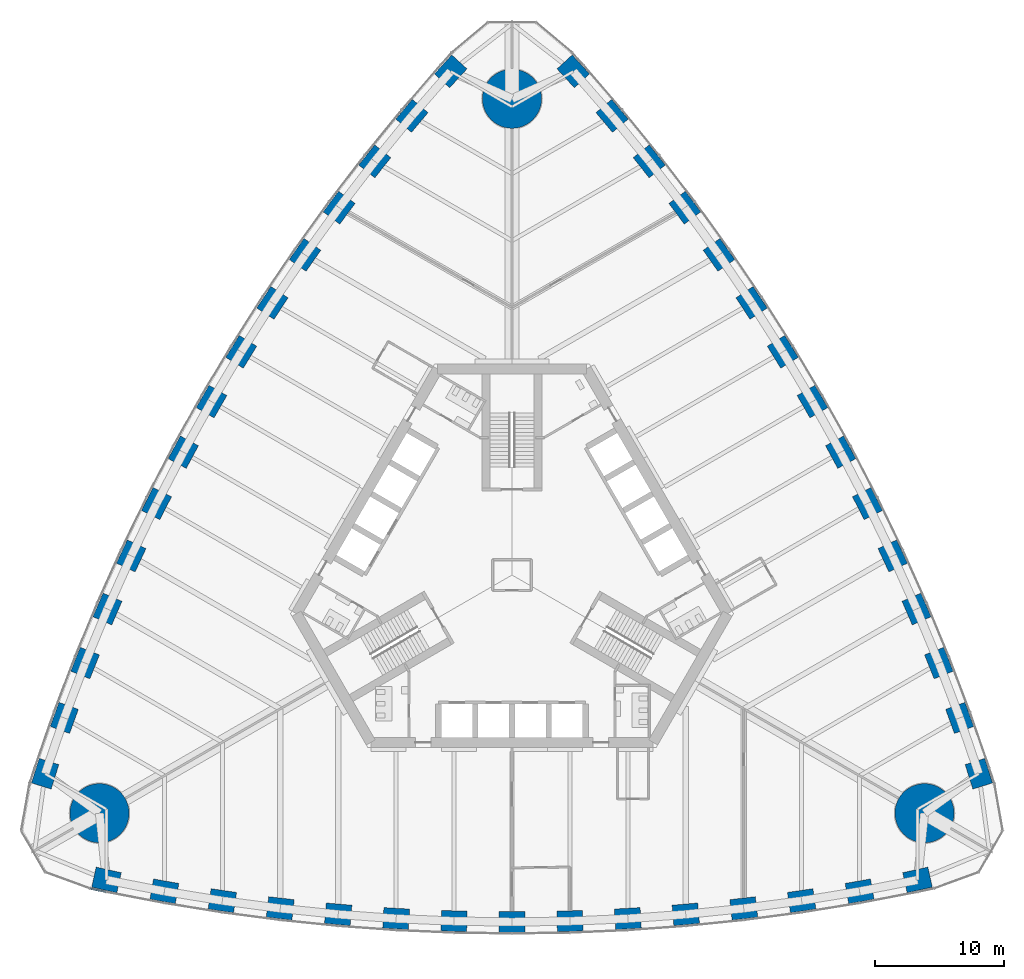
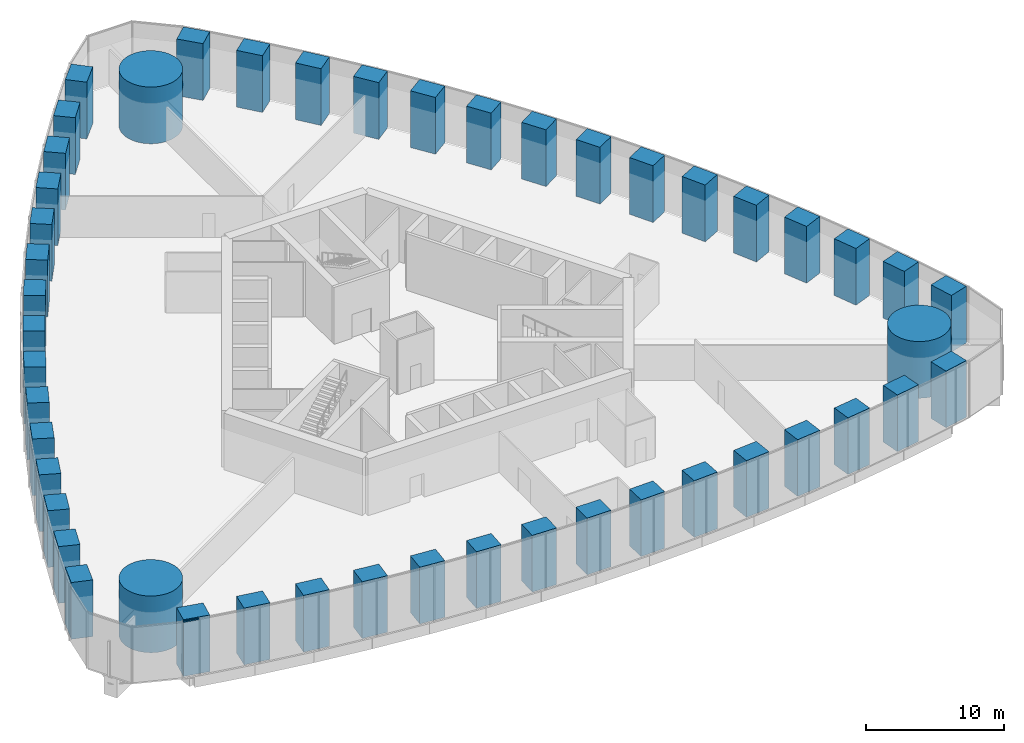
# One storey, part 1 of 21: 48 columns, 1 member, 1 element without a shape of its own.
"""IFC4 building model written with IfcOpenShell, lengths in metres."""

from ifc_helpers import new_model, si_unit, direction, frame, origin, origin_2d, place, context, subcontext, project, spatial, rectangle, circle, extrude, material, material_profile, profile_set, type_object, element, aggregate, save


model = new_model("IFC4")

# Units and contexts
model_context = context("Model", 3, precision=1e-05, world=origin(), true_north=direction((0.0, 1.0)))
body_context = subcontext(model_context, "Body", "Model", "MODEL_VIEW")
ifc_project = project(units=[si_unit("LENGTHUNIT", "METRE"), si_unit("AREAUNIT", "SQUARE_METRE"), si_unit("VOLUMEUNIT", "CUBIC_METRE"), si_unit("PLANEANGLEUNIT", "RADIAN"), si_unit("MASSUNIT", "GRAM", prefix="KILO")], contexts=[model_context])

# Site, building, storey
site_placement = place(None, origin())
site = spatial("IfcSite", under=ifc_project, at=site_placement, CompositionType="ELEMENT")
building_placement = place(site_placement, origin())
building = spatial("IfcBuilding", under=site, at=building_placement, Name="Trefoil Bronze Tower", CompositionType="ELEMENT")
storey_placement = place(building_placement, frame((0.0, 0.0, 6.5)))
storey = spatial("IfcBuildingStorey", under=building, at=storey_placement, Name="L01", CompositionType="ELEMENT", Elevation=6.5)

# Columns
ifc_material_1 = material(Name="Concrete B80", Category="concrete")
ifc_material_profile_1 = material_profile(ifc_material_1, circle(Radius=2.300048828125, at=origin_2d()), Name="RC D4600")
ifc_profile_set_1 = profile_set([ifc_material_profile_1], Name="Concrete B80")
column_type_1 = type_object("IfcColumnType", Name="Mega column RC D4600", PredefinedType="COLUMN", material=ifc_profile_set_1)
for number, where, z_axis, x_axis, name in (
    (1, (32.04296875, -18.5, 0.0), (0.0, 0.0, 1.0), (1.0, 0.0, 0.0), "Mega column K1 L01"),
    (2, (0.0, 37.0, 0.0), (0.0, 0.0, 1.0), (1.0, 0.0, 0.0), "Mega column K2 L01"),
    (3, (-32.04296875, -18.5, 0.0), (0.0, 0.0, 1.0), (1.0, 0.0, 0.0), "Mega column K3 L01"),
):
    element("IfcColumn", number, at=place(storey_placement, frame(where, z_axis=z_axis, x_axis=x_axis)), inside=storey, type_object=column_type_1, Name=name, PredefinedType="COLUMN", context=body_context, shape_type="SweptSolid", body=[
        extrude(circle(Radius=2.300048828125, at=origin_2d()), origin(), (0.0, 0.0, 1.0), 5.0),
    ])
ifc_material_2 = material(Name="Concrete B80", Category="concrete")
ifc_material_profile_2 = material_profile(ifc_material_2, rectangle(XDim=2.0, YDim=1.60009765625, at=origin_2d()), Name="RC 2000x1600")
ifc_profile_set_2 = profile_set([ifc_material_profile_2], Name="Concrete B80")
column_type_2 = type_object("IfcColumnType", Name="Tube column RC 2000x1600", PredefinedType="COLUMN", material=ifc_profile_set_2)
for number, where, z_axis, x_axis, name in (
    (4, (-31.5, -23.684814453125, 0.0), (0.0, 0.0, 1.0), (0.976229647342, -0.216738726697, 0.0), "Tube column F1/-7 L01"),
    (5, (-27.0, -24.56787109375, 0.0), (0.0, 0.0, 1.0), (0.984722470468, -0.174131146426, 0.0), "Tube column F1/-6 L01"),
    (6, (-22.5, -25.29931640625, 0.0), (0.0, 0.0, 1.0), (0.989415676546, -0.145108990094, 0.0), "Tube column F1/-5 L01"),
    (7, (-18.0, -25.895263671875, 0.0), (0.0, 0.0, 1.0), (0.993239048989, -0.116086999973, 0.0), "Tube column F1/-4 L01"),
    (8, (-13.5, -26.35693359375, 0.0), (0.0, 0.0, 1.0), (0.996202620701, -0.087065139456, 0.0), "Tube column F1/-3 L01"),
    (9, (-9.0, -26.68603515625, 0.0), (0.0, 0.0, 1.0), (0.998314062162, -0.058043374207, 0.0), "Tube column F1/-2 L01"),
    (10, (-4.5, -26.883056640625, 0.0), (0.0, 0.0, 1.0), (0.999578782577, -0.029021671584, 0.0), "Tube column F1/-1 L01"),
    (11, (0.0, -26.94873046875, 0.0), (0.0, 0.0, 1.0), (1.0, 0.0, 0.0), "Tube column F1/+0 L01"),
    (12, (4.5, -26.883056640625, 0.0), (0.0, 0.0, 1.0), (0.999578782577, 0.029021671584, 0.0), "Tube column F1/+1 L01"),
    (13, (9.0, -26.68603515625, 0.0), (0.0, 0.0, 1.0), (0.998314062162, 0.058043374207, 0.0), "Tube column F1/+2 L01"),
    (14, (13.5, -26.35693359375, 0.0), (0.0, 0.0, 1.0), (0.996202620701, 0.087065139456, 0.0), "Tube column F1/+3 L01"),
    (15, (18.0, -25.895263671875, 0.0), (0.0, 0.0, 1.0), (0.993239048989, 0.116086999973, 0.0), "Tube column F1/+4 L01"),
    (16, (22.5, -25.29931640625, 0.0), (0.0, 0.0, 1.0), (0.989415676546, 0.145108990094, 0.0), "Tube column F1/+5 L01"),
    (17, (27.0, -24.56787109375, 0.0), (0.0, 0.0, 1.0), (0.984722470468, 0.174131146426, 0.0), "Tube column F1/+6 L01"),
    (18, (31.5, -23.684814453125, 0.0), (0.0, 0.0, 1.0), (0.976229647342, 0.216738726697, 0.0), "Tube column F1/+7 L01"),
    (19, (36.26171875, -15.4375, 0.0), (0.0, 0.0, 1.0), (-0.300413580368, 0.953809037874, 0.0), "Tube column F2/-7 L01"),
    (20, (34.7763671875, -11.0986328125, 0.0), (0.0, 0.0, 1.0), (-0.341559238839, 0.939860248316, 0.0), "Tube column F2/-6 L01"),
    (21, (33.159912109375, -6.8359375, 0.0), (0.0, 0.0, 1.0), (-0.369039766534, 0.929413605838, 0.0), "Tube column F2/-5 L01"),
    (22, (31.42578125, -2.640869140625, 0.0), (0.0, 0.0, 1.0), (-0.396085233469, 0.918213748442, 0.0), "Tube column F2/-4 L01"),
    (23, (29.575927734375, 1.487060546875, 0.0), (0.0, 0.0, 1.0), (-0.422700687798, 0.906269346572, 0.0), "Tube column F2/-3 L01"),
    (24, (27.61083984375, 5.548828125, 0.0), (0.0, 0.0, 1.0), (-0.448889994497, 0.893587025891, 0.0), "Tube column F2/-2 L01"),
    (25, (25.531494140625, 9.54443359375, 0.0), (0.0, 0.0, 1.0), (-0.474655886437, 0.880171454588, 0.0), "Tube column F2/-1 L01"),
    (26, (23.33837890625, 13.474365234375, 0.0), (0.0, 0.0, 1.0), (-0.5, 0.866025403784, 0.0), "Tube column F2/+0 L01"),
    (27, (21.031494140625, 17.338623046875, 0.0), (0.0, 0.0, 1.0), (-0.524922896141, 0.851149783004, 0.0), "Tube column F2/+1 L01"),
    (28, (18.61083984375, 21.13720703125, 0.0), (0.0, 0.0, 1.0), (-0.549424067665, 0.835543651684, 0.0), "Tube column F2/+2 L01"),
    (29, (16.075927734375, 24.869873046875, 0.0), (0.0, 0.0, 1.0), (-0.573501932903, 0.819204207116, 0.0), "Tube column F2/+3 L01"),
    (30, (13.42578125, 28.5361328125, 0.0), (0.0, 0.0, 1.0), (-0.59715381552, 0.802126748469, 0.0), "Tube column F2/+4 L01"),
    (31, (10.659912109375, 32.13525390625, 0.0), (0.0, 0.0, 1.0), (-0.620375910011, 0.784304615744, 0.0), "Tube column F2/+5 L01"),
    (32, (7.7763671875, 35.666748046875, 0.0), (0.0, 0.0, 1.0), (-0.643163231629, 0.765729101889, 0.0), "Tube column F2/+6 L01"),
    (33, (4.76171875, 39.122314453125, 0.0), (0.0, 0.0, 1.0), (-0.675816066975, 0.737070311177, 0.0), "Tube column F2/+7 L01"),
    (34, (-4.76171875, 39.122314453125, 0.0), (0.0, 0.0, 1.0), (-0.675816066975, -0.737070311177, 0.0), "Tube column F3/-7 L01"),
    (35, (-7.7763671875, 35.666748046875, 0.0), (0.0, 0.0, 1.0), (-0.643163231629, -0.765729101889, 0.0), "Tube column F3/-6 L01"),
    (36, (-10.659912109375, 32.13525390625, 0.0), (0.0, 0.0, 1.0), (-0.620375910011, -0.784304615744, 0.0), "Tube column F3/-5 L01"),
    (37, (-13.42578125, 28.5361328125, 0.0), (0.0, 0.0, 1.0), (-0.59715381552, -0.802126748469, 0.0), "Tube column F3/-4 L01"),
    (38, (-16.075927734375, 24.869873046875, 0.0), (0.0, 0.0, 1.0), (-0.573501932903, -0.819204207116, 0.0), "Tube column F3/-3 L01"),
    (39, (-18.61083984375, 21.13720703125, 0.0), (0.0, 0.0, 1.0), (-0.549424067665, -0.835543651684, 0.0), "Tube column F3/-2 L01"),
    (40, (-21.031494140625, 17.338623046875, 0.0), (0.0, 0.0, 1.0), (-0.524922896141, -0.851149783004, 0.0), "Tube column F3/-1 L01"),
    (41, (-23.33837890625, 13.474365234375, 0.0), (0.0, 0.0, 1.0), (-0.5, -0.866025403784, 0.0), "Tube column F3/+0 L01"),
    (42, (-25.531494140625, 9.54443359375, 0.0), (0.0, 0.0, 1.0), (-0.474655886437, -0.880171454588, 0.0), "Tube column F3/+1 L01"),
    (43, (-27.61083984375, 5.548828125, 0.0), (0.0, 0.0, 1.0), (-0.448889994497, -0.893587025891, 0.0), "Tube column F3/+2 L01"),
    (44, (-29.575927734375, 1.487060546875, 0.0), (0.0, 0.0, 1.0), (-0.422700687798, -0.906269346572, 0.0), "Tube column F3/+3 L01"),
    (45, (-31.42578125, -2.640869140625, 0.0), (0.0, 0.0, 1.0), (-0.396085233469, -0.918213748442, 0.0), "Tube column F3/+4 L01"),
    (46, (-33.159912109375, -6.8359375, 0.0), (0.0, 0.0, 1.0), (-0.369039766534, -0.929413605838, 0.0), "Tube column F3/+5 L01"),
    (47, (-34.7763671875, -11.0986328125, 0.0), (0.0, 0.0, 1.0), (-0.341559238839, -0.939860248316, 0.0), "Tube column F3/+6 L01"),
    (48, (-36.26171875, -15.4375, 0.0), (0.0, 0.0, 1.0), (-0.300413580368, -0.953809037874, 0.0), "Tube column F3/+7 L01"),
):
    element("IfcColumn", number, at=place(storey_placement, frame(where, z_axis=z_axis, x_axis=x_axis)), inside=storey, type_object=column_type_2, Name=name, PredefinedType="COLUMN", context=body_context, shape_type="SweptSolid", body=[
        extrude(rectangle(XDim=2.0, YDim=1.60009765625, at=origin_2d()), origin(), (0.0, 0.0, 1.0), 5.0),
    ])

# Curtain wall, member
ifc_material_3 = material(Name="Tinted solar-control glass", Category="glass")
curtain_wall_type = type_object("IfcCurtainWallType", Name="Bronze podium storefront curtain wall", PredefinedType="USERDEFINED", material=ifc_material_3)
curtain_wall_placement = place(storey_placement, origin())
curtain_wall = element("IfcCurtainWall", 49, at=curtain_wall_placement, inside=storey, type_object=curtain_wall_type, Name="CW-C L01 F1", ObjectType="CURTAIN WALL", PredefinedType="USERDEFINED")
ifc_material_4 = material(Name="Bronze-finish aluminium", Category="aluminium")
ifc_material_profile_3 = material_profile(ifc_material_4, rectangle(XDim=0.1201171875, YDim=0.10009765625, at=origin_2d()), Name="CW-C transom")
ifc_profile_set_3 = profile_set([ifc_material_profile_3], Name="Bronze-finish aluminium")
member_type = type_object("IfcMemberType", Name="Bronze podium storefront curtain wall transom", PredefinedType="USERDEFINED", material=ifc_profile_set_3)
member_placement = place(storey_placement, frame((-32.753662109375, -24.352783203125, 4.929931640625), z_axis=(0.978304864549, -0.207170441905, 0.0), x_axis=(0.207170441905, 0.978304864549, 0.0)))
member = element("IfcMember", 50, at=member_placement, type_object=member_type, Name="CW-C L01 F1 transom 1", ObjectType="TRANSOM", PredefinedType="USERDEFINED", context=body_context, shape_type="SweptSolid", body=[
    extrude(rectangle(XDim=0.1201171875, YDim=0.10009765625, at=origin_2d()), origin(), (0.0, 0.0, 1.0), 1.230224609375),
])
aggregate(curtain_wall, [member])

save(model, "model.ifc")
